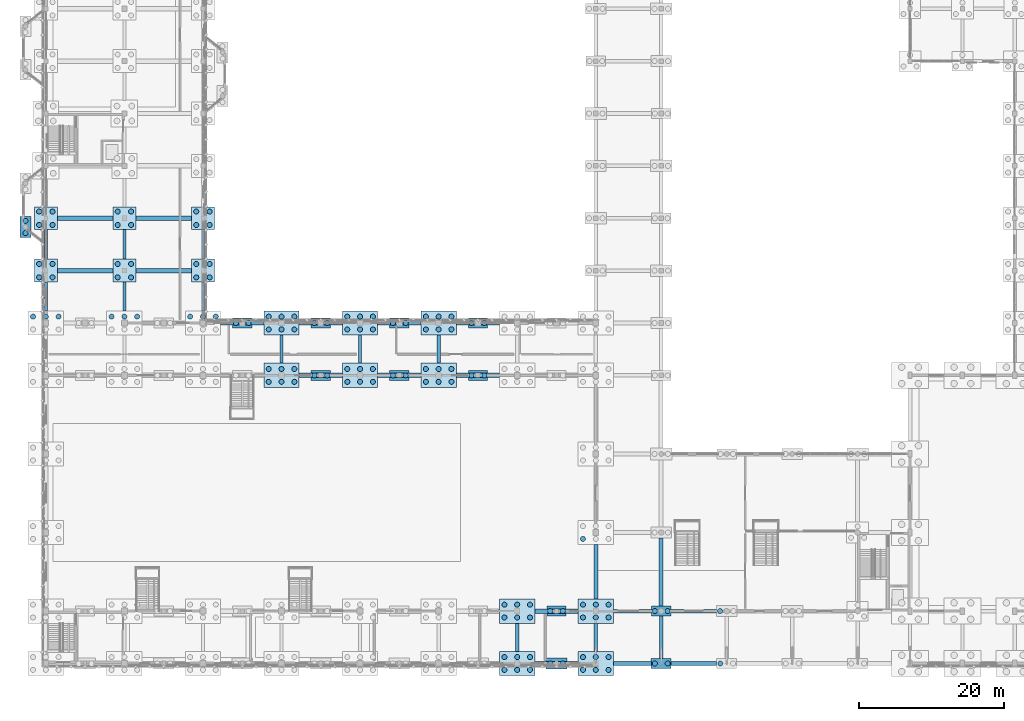
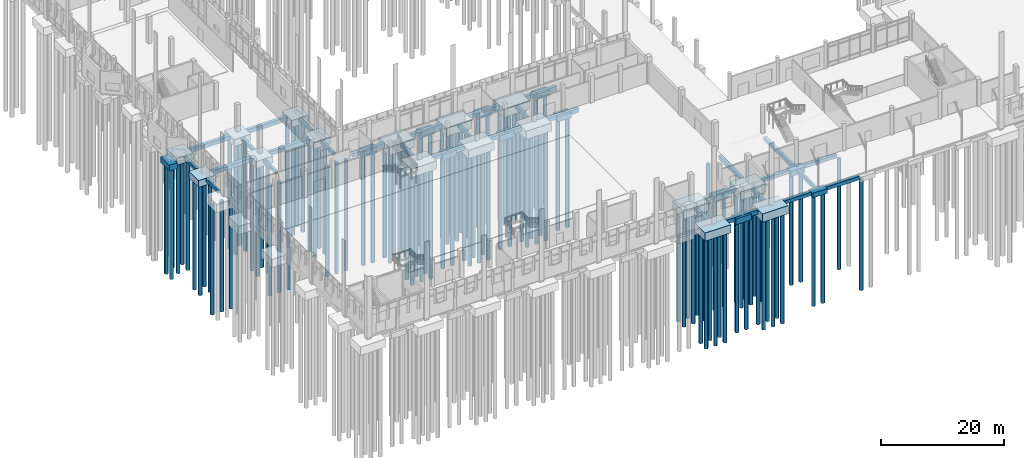
# One storey, part 2 of 109: 120 piles, 59 footings.
"""IFC4 building model written with IfcOpenShell, lengths in metres."""

from ifc_helpers import new_model, si_unit, direction, frame, origin, origin_2d, place, context, subcontext, project, spatial, rectangle, circle, extrude, material, material_profile, profile_set, type_object, element, save


model = new_model("IFC4")

# Units and contexts
model_context = context("Model", 3, precision=1e-05, world=origin(), true_north=direction((0.0, 1.0)))
body_context = subcontext(model_context, "Body", "Model", "MODEL_VIEW")
ifc_project = project(units=[si_unit("LENGTHUNIT", "METRE"), si_unit("AREAUNIT", "SQUARE_METRE"), si_unit("VOLUMEUNIT", "CUBIC_METRE"), si_unit("PLANEANGLEUNIT", "RADIAN"), si_unit("MASSUNIT", "GRAM", prefix="KILO")], contexts=[model_context])

# Site, building, storey
site_placement = place(None, origin())
site = spatial("IfcSite", under=ifc_project, at=site_placement, CompositionType="ELEMENT")
building_placement = place(site_placement, origin())
building = spatial("IfcBuilding", under=site, at=building_placement, Name="Lusvemor Sports Hall", CompositionType="ELEMENT")
storey_placement = place(building_placement, origin())
storey = spatial("IfcBuildingStorey", under=building, at=storey_placement, Name="L00", CompositionType="ELEMENT", Elevation=0.0)

# Footings
ifc_material_1 = material(Name="Concrete C40/50", Category="concrete")
ifc_material_profile_1 = material_profile(ifc_material_1, rectangle(XDim=0.449951171875, YDim=0.64990234375, at=origin_2d()), Name="GB_450x650")
ifc_profile_set_1 = profile_set([ifc_material_profile_1], Name="Concrete C40/50")
footing_type_1 = type_object("IfcFootingType", Name="GBEAM_450x650", PredefinedType="FOOTING_BEAM", material=ifc_profile_set_1)
footing_1_placement = place(storey_placement, frame((0.0, 48.472900390625, -0.625), z_axis=(0.0, 1.0, 0.0), x_axis=(-1.0, 0.0, 0.0)))
element("IfcFooting", 1, at=footing_1_placement, inside=storey, type_object=footing_type_1, Name="Ground Tie Beam 1:F-G", PredefinedType="FOOTING_BEAM", context=body_context, shape_type="SweptSolid", body=[
    extrude(rectangle(XDim=0.449951171875, YDim=0.64990234375, at=origin_2d()), origin(), (0.0, 0.0, 1.0), 3.9541015625),
])
footing_2_placement = place(storey_placement, frame((0.0, 55.572998046875, -0.625), z_axis=(0.0, 1.0, 0.0), x_axis=(-1.0, 0.0, 0.0)))
element("IfcFooting", 2, at=footing_2_placement, inside=storey, type_object=footing_type_1, Name="Ground Tie Beam 1:G-H", PredefinedType="FOOTING_BEAM", context=body_context, shape_type="SweptSolid", body=[
    extrude(rectangle(XDim=0.449951171875, YDim=0.64990234375, at=origin_2d()), origin(), (0.0, 0.0, 1.0), 4.053955078125),
])
footing_3_placement = place(storey_placement, frame((10.800048828125, 48.472900390625, -0.625), z_axis=(0.0, 1.0, 0.0), x_axis=(-1.0, 0.0, 0.0)))
element("IfcFooting", 3, at=footing_3_placement, inside=storey, type_object=footing_type_1, Name="Ground Tie Beam 2:F-G", PredefinedType="FOOTING_BEAM", context=body_context, shape_type="SweptSolid", body=[
    extrude(rectangle(XDim=0.449951171875, YDim=0.64990234375, at=origin_2d()), origin(), (0.0, 0.0, 1.0), 3.9541015625),
])
footing_4_placement = place(storey_placement, frame((10.800048828125, 55.572998046875, -0.625), z_axis=(0.0, 1.0, 0.0), x_axis=(-1.0, 0.0, 0.0)))
element("IfcFooting", 4, at=footing_4_placement, inside=storey, type_object=footing_type_1, Name="Ground Tie Beam 2:G-H", PredefinedType="FOOTING_BEAM", context=body_context, shape_type="SweptSolid", body=[
    extrude(rectangle(XDim=0.449951171875, YDim=0.64990234375, at=origin_2d()), origin(), (0.0, 0.0, 1.0), 4.053955078125),
])
footing_5_placement = place(storey_placement, frame((21.60009765625, 48.472900390625, -0.625), z_axis=(0.0, 1.0, 0.0), x_axis=(-1.0, 0.0, 0.0)))
element("IfcFooting", 5, at=footing_5_placement, inside=storey, type_object=footing_type_1, Name="Ground Tie Beam 3:F-G", PredefinedType="FOOTING_BEAM", context=body_context, shape_type="SweptSolid", body=[
    extrude(rectangle(XDim=0.449951171875, YDim=0.64990234375, at=origin_2d()), origin(), (0.0, 0.0, 1.0), 3.9541015625),
])
footing_6_placement = place(storey_placement, frame((21.60009765625, 55.572998046875, -0.625), z_axis=(0.0, 1.0, 0.0), x_axis=(-1.0, 0.0, 0.0)))
element("IfcFooting", 6, at=footing_6_placement, inside=storey, type_object=footing_type_1, Name="Ground Tie Beam 3:G-H", PredefinedType="FOOTING_BEAM", context=body_context, shape_type="SweptSolid", body=[
    extrude(rectangle(XDim=0.449951171875, YDim=0.64990234375, at=origin_2d()), origin(), (0.0, 0.0, 1.0), 4.053955078125),
])
for number, where, z_axis, x_axis, name in (
    (7, (32.39990234375, 41.27294921875, -0.625), (0.0, 1.0, 0.0), (-1.0, 0.0, 0.0), "Ground Tie Beam 4:E-F"),
    (8, (43.199951171875, 41.27294921875, -0.625), (0.0, 1.0, 0.0), (-1.0, 0.0, 0.0), "Ground Tie Beam 5:E-F"),
    (9, (54.0, 41.27294921875, -0.625), (0.0, 1.0, 0.0), (-1.0, 0.0, 0.0), "Ground Tie Beam 6:E-F"),
    (10, (64.800048828125, 1.673095703125, -0.625), (0.0, 1.0, 0.0), (-1.0, 0.0, 0.0), "Ground Tie Beam 7:A-B"),
    (11, (75.60009765625, 1.673095703125, -0.625), (0.0, 1.0, 0.0), (-1.0, 0.0, 0.0), "Ground Tie Beam 8:A-B"),
):
    element("IfcFooting", number, at=place(storey_placement, frame(where, z_axis=z_axis, x_axis=x_axis)), inside=storey, type_object=footing_type_1, Name=name, PredefinedType="FOOTING_BEAM", context=body_context, shape_type="SweptSolid", body=[
        extrude(rectangle(XDim=0.449951171875, YDim=0.64990234375, at=origin_2d()), origin(), (0.0, 0.0, 1.0), 3.85400390625),
    ])
footing_7_placement = place(storey_placement, frame((84.60009765625, 0.673095703125, -0.625), z_axis=(0.0, 1.0, 0.0), x_axis=(-1.0, 0.0, 0.0)))
element("IfcFooting", 12, at=footing_7_placement, inside=storey, type_object=footing_type_1, Name="Ground Tie Beam 9:A-B", PredefinedType="FOOTING_BEAM", context=body_context, shape_type="SweptSolid", body=[
    extrude(rectangle(XDim=0.449951171875, YDim=0.64990234375, at=origin_2d()), origin(), (0.0, 0.0, 1.0), 5.828857421875),
])
ifc_material_2 = material(Name="Concrete C40/50", Category="concrete")
ifc_material_profile_2 = material_profile(ifc_material_2, rectangle(XDim=0.5, YDim=0.699951171875, at=origin_2d()), Name="GB_500x700")
ifc_profile_set_2 = profile_set([ifc_material_profile_2], Name="Concrete C40/50")
footing_type_2 = type_object("IfcFootingType", Name="GBEAM_500x700", PredefinedType="FOOTING_BEAM", material=ifc_profile_set_2)
footing_8_placement = place(storey_placement, frame((78.02294921875, 0.0, -0.64990234375), z_axis=(1.0, 0.0, 0.0), x_axis=(0.0, 1.0, 0.0)))
element("IfcFooting", 13, at=footing_8_placement, inside=storey, type_object=footing_type_2, Name="Ground Tie Beam A:8-9", PredefinedType="FOOTING_BEAM", context=body_context, shape_type="SweptSolid", body=[
    extrude(rectangle(XDim=0.5, YDim=0.699951171875, at=origin_2d()), origin(), (0.0, 0.0, 1.0), 5.2041015625),
])
footing_9_placement = place(storey_placement, frame((85.972900390625, 0.0, -0.64990234375), z_axis=(1.0, 0.0, 0.0), x_axis=(0.0, 1.0, 0.0)))
element("IfcFooting", 14, at=footing_9_placement, inside=storey, type_object=footing_type_2, Name="Ground Tie Beam A:9-10", PredefinedType="FOOTING_BEAM", context=body_context, shape_type="SweptSolid", body=[
    extrude(rectangle(XDim=0.5, YDim=0.699951171875, at=origin_2d()), origin(), (0.0, 0.0, 1.0), 6.254150390625),
])
footing_10_placement = place(storey_placement, frame((78.02294921875, 7.199951171875, -0.64990234375), z_axis=(1.0, 0.0, 0.0), x_axis=(0.0, 1.0, 0.0)))
element("IfcFooting", 15, at=footing_10_placement, inside=storey, type_object=footing_type_2, Name="Ground Tie Beam B:8-9", PredefinedType="FOOTING_BEAM", context=body_context, shape_type="SweptSolid", body=[
    extrude(rectangle(XDim=0.5, YDim=0.699951171875, at=origin_2d()), origin(), (0.0, 0.0, 1.0), 5.254150390625),
])
footing_11_placement = place(storey_placement, frame((85.923095703125, 7.199951171875, -0.64990234375), z_axis=(1.0, 0.0, 0.0), x_axis=(0.0, 1.0, 0.0)))
element("IfcFooting", 16, at=footing_11_placement, inside=storey, type_object=footing_type_2, Name="Ground Tie Beam B:9-10", PredefinedType="FOOTING_BEAM", context=body_context, shape_type="SweptSolid", body=[
    extrude(rectangle(XDim=0.5, YDim=0.699951171875, at=origin_2d()), origin(), (0.0, 0.0, 1.0), 6.25390625),
])
ifc_material_3 = material(Name="Concrete C40/50", Category="concrete")
ifc_material_profile_3 = material_profile(ifc_material_3, rectangle(XDim=0.550048828125, YDim=0.75, at=origin_2d()), Name="GB_550x750")
ifc_profile_set_3 = profile_set([ifc_material_profile_3], Name="Concrete C40/50")
footing_type_3 = type_object("IfcFootingType", Name="GBEAM_550x750", PredefinedType="FOOTING_BEAM", material=ifc_profile_set_3)
footing_12_placement = place(storey_placement, frame((75.60009765625, 8.873046875, -0.675048828125), z_axis=(0.0, 1.0, 0.0), x_axis=(-1.0, 0.0, 0.0)))
element("IfcFooting", 17, at=footing_12_placement, inside=storey, type_object=footing_type_3, Name="Ground Tie Beam 8:B-C", PredefinedType="FOOTING_BEAM", context=body_context, shape_type="SweptSolid", body=[
    extrude(rectangle(XDim=0.550048828125, YDim=0.75, at=origin_2d()), origin(), (0.0, 0.0, 1.0), 7.453857421875),
])
footing_13_placement = place(storey_placement, frame((84.60009765625, 7.89794921875, -0.675048828125), z_axis=(0.0, 1.0, 0.0), x_axis=(-1.0, 0.0, 0.0)))
element("IfcFooting", 18, at=footing_13_placement, inside=storey, type_object=footing_type_3, Name="Ground Tie Beam 9:B-C", PredefinedType="FOOTING_BEAM", context=body_context, shape_type="SweptSolid", body=[
    extrude(rectangle(XDim=0.550048828125, YDim=0.75, at=origin_2d()), origin(), (0.0, 0.0, 1.0), 9.35400390625),
])
ifc_material_4 = material(Name="Concrete C40/50", Category="concrete")
ifc_material_profile_4 = material_profile(ifc_material_4, rectangle(XDim=0.60009765625, YDim=0.800048828125, at=origin_2d()), Name="GB_600x800")
ifc_profile_set_4 = profile_set([ifc_material_profile_4], Name="Concrete C40/50")
footing_type_4 = type_object("IfcFootingType", Name="GBEAM_600x800", PredefinedType="FOOTING_BEAM", material=ifc_profile_set_4)
for number, where, z_axis, x_axis, name in (
    (19, (67.222900390625, 0.0, -0.699951171875), (1.0, 0.0, 0.0), (0.0, 1.0, 0.0), "Ground Tie Beam A:7-8"),
    (20, (67.222900390625, 7.199951171875, -0.699951171875), (1.0, 0.0, 0.0), (0.0, 1.0, 0.0), "Ground Tie Beam B:7-8"),
    (21, (34.822998046875, 39.60009765625, -0.699951171875), (1.0, 0.0, 0.0), (0.0, 1.0, 0.0), "Ground Tie Beam E:4-5"),
):
    element("IfcFooting", number, at=place(storey_placement, frame(where, z_axis=z_axis, x_axis=x_axis)), inside=storey, type_object=footing_type_4, Name=name, PredefinedType="FOOTING_BEAM", context=body_context, shape_type="SweptSolid", body=[
        extrude(rectangle(XDim=0.60009765625, YDim=0.800048828125, at=origin_2d()), origin(), (0.0, 0.0, 1.0), 5.9541015625),
    ])
for number, where, z_axis, x_axis, name in (
    (22, (45.623046875, 39.60009765625, -0.699951171875), (1.0, 0.0, 0.0), (0.0, 1.0, 0.0), "Ground Tie Beam E:5-6"),
    (23, (56.423095703125, 39.60009765625, -0.699951171875), (1.0, 0.0, 0.0), (0.0, 1.0, 0.0), "Ground Tie Beam E:6-7"),
):
    element("IfcFooting", number, at=place(storey_placement, frame(where, z_axis=z_axis, x_axis=x_axis)), inside=storey, type_object=footing_type_4, Name=name, PredefinedType="FOOTING_BEAM", context=body_context, shape_type="SweptSolid", body=[
        extrude(rectangle(XDim=0.60009765625, YDim=0.800048828125, at=origin_2d()), origin(), (0.0, 0.0, 1.0), 5.953857421875),
    ])
for number, where, z_axis, x_axis, name in (
    (24, (24.02294921875, 46.800048828125, -0.699951171875), (1.0, 0.0, 0.0), (0.0, 1.0, 0.0), "Ground Tie Beam F:3-4"),
    (25, (34.822998046875, 46.800048828125, -0.699951171875), (1.0, 0.0, 0.0), (0.0, 1.0, 0.0), "Ground Tie Beam F:4-5"),
):
    element("IfcFooting", number, at=place(storey_placement, frame(where, z_axis=z_axis, x_axis=x_axis)), inside=storey, type_object=footing_type_4, Name=name, PredefinedType="FOOTING_BEAM", context=body_context, shape_type="SweptSolid", body=[
        extrude(rectangle(XDim=0.60009765625, YDim=0.800048828125, at=origin_2d()), origin(), (0.0, 0.0, 1.0), 5.9541015625),
    ])
for number, where, z_axis, x_axis, name in (
    (26, (45.623046875, 46.800048828125, -0.699951171875), (1.0, 0.0, 0.0), (0.0, 1.0, 0.0), "Ground Tie Beam F:5-6"),
    (27, (56.423095703125, 46.800048828125, -0.699951171875), (1.0, 0.0, 0.0), (0.0, 1.0, 0.0), "Ground Tie Beam F:6-7"),
):
    element("IfcFooting", number, at=place(storey_placement, frame(where, z_axis=z_axis, x_axis=x_axis)), inside=storey, type_object=footing_type_4, Name=name, PredefinedType="FOOTING_BEAM", context=body_context, shape_type="SweptSolid", body=[
        extrude(rectangle(XDim=0.60009765625, YDim=0.800048828125, at=origin_2d()), origin(), (0.0, 0.0, 1.0), 5.953857421875),
    ])
for number, where, z_axis, x_axis, name in (
    (28, (1.572998046875, 54.0, -0.699951171875), (1.0, 0.0, 0.0), (0.0, 1.0, 0.0), "Ground Tie Beam G:1-2"),
    (29, (12.373046875, 54.0, -0.699951171875), (1.0, 0.0, 0.0), (0.0, 1.0, 0.0), "Ground Tie Beam G:2-3"),
    (30, (1.572998046875, 61.199951171875, -0.699951171875), (1.0, 0.0, 0.0), (0.0, 1.0, 0.0), "Ground Tie Beam H:1-2"),
    (31, (12.373046875, 61.199951171875, -0.699951171875), (1.0, 0.0, 0.0), (0.0, 1.0, 0.0), "Ground Tie Beam H:2-3"),
):
    element("IfcFooting", number, at=place(storey_placement, frame(where, z_axis=z_axis, x_axis=x_axis)), inside=storey, type_object=footing_type_4, Name=name, PredefinedType="FOOTING_BEAM", context=body_context, shape_type="SweptSolid", body=[
        extrude(rectangle(XDim=0.60009765625, YDim=0.800048828125, at=origin_2d()), origin(), (0.0, 0.0, 1.0), 7.654052734375),
    ])
ifc_material_5 = material(Name="Concrete C40/50", Category="concrete")
footing_type_5 = type_object("IfcFootingType", Name="PCAP_2P_A", PredefinedType="PILE_CAP", material=ifc_material_5)
for number, where, z_axis, x_axis, name in (
    (32, (84.60009765625, 7.199951171875, -1.400146484375), (0.0, 0.0, 1.0), (1.0, 0.0, 0.0), "Pile Cap 9/B"),
    (33, (27.0, 46.800048828125, -1.400146484375), (0.0, 0.0, 1.0), (1.0, 0.0, 0.0), "Wave Courtyard Cap N3"),
    (34, (37.800048828125, 46.800048828125, -1.400146484375), (0.0, 0.0, 1.0), (1.0, 0.0, 0.0), "Wave Courtyard Cap N4"),
    (35, (37.800048828125, 39.60009765625, -1.400146484375), (0.0, 0.0, 1.0), (1.0, 0.0, 0.0), "Wave Mid-Bay Cap N4"),
    (36, (48.60009765625, 46.800048828125, -1.400146484375), (0.0, 0.0, 1.0), (1.0, 0.0, 0.0), "Wave Courtyard Cap N5"),
    (37, (48.60009765625, 39.60009765625, -1.400146484375), (0.0, 0.0, 1.0), (1.0, 0.0, 0.0), "Wave Mid-Bay Cap N5"),
    (38, (59.39990234375, 46.800048828125, -1.400146484375), (0.0, 0.0, 1.0), (1.0, 0.0, 0.0), "Wave Courtyard Cap N6"),
    (39, (59.39990234375, 39.60009765625, -1.400146484375), (0.0, 0.0, 1.0), (1.0, 0.0, 0.0), "Wave Mid-Bay Cap N6"),
    (40, (70.199951171875, 7.199951171875, -1.400146484375), (0.0, 0.0, 1.0), (1.0, 0.0, 0.0), "Wave Mid-Bay Cap S7"),
):
    element("IfcFooting", number, at=place(storey_placement, frame(where, z_axis=z_axis, x_axis=x_axis)), inside=storey, type_object=footing_type_5, Name=name, PredefinedType="PILE_CAP", context=body_context, shape_type="SweptSolid", body=[
        extrude(rectangle(XDim=2.64990234375, YDim=1.39990234375, at=origin_2d()), origin(), (0.0, 0.0, 1.0), 1.10009765625),
    ])
ifc_material_6 = material(Name="Concrete C40/50", Category="concrete")
footing_type_6 = type_object("IfcFootingType", Name="PCAP_2P_B", PredefinedType="PILE_CAP", material=ifc_material_6)
footing_14_placement = place(storey_placement, frame((70.199951171875, 0.0, -1.449951171875), z_axis=(0.0, 0.0, 1.0), x_axis=(1.0, 0.0, 0.0)))
element("IfcFooting", 41, at=footing_14_placement, inside=storey, type_object=footing_type_6, Name="Pilaster Cap S6", PredefinedType="PILE_CAP", context=body_context, shape_type="SweptSolid", body=[
    extrude(rectangle(XDim=2.85009765625, YDim=1.5, at=origin_2d()), origin(), (0.0, 0.0, 1.0), 1.14990234375),
])
ifc_material_7 = material(Name="Concrete C40/50", Category="concrete")
footing_type_7 = type_object("IfcFootingType", Name="PCAP_2P_CAN", PredefinedType="PILE_CAP", material=ifc_material_7)
footing_15_placement = place(storey_placement, frame((84.60009765625, 0.0, -1.25), z_axis=(0.0, 0.0, 1.0), x_axis=(1.0, 0.0, 0.0)))
element("IfcFooting", 42, at=footing_15_placement, inside=storey, type_object=footing_type_7, Name="Pile Cap 9/A", PredefinedType="PILE_CAP", context=body_context, shape_type="SweptSolid", body=[
    extrude(rectangle(XDim=2.75, YDim=1.35009765625, at=origin_2d()), origin(), (0.0, 0.0, 1.0), 0.949951171875),
])
ifc_material_8 = material(Name="Concrete C40/50", Category="concrete")
footing_type_8 = type_object("IfcFootingType", Name="PCAP_2P_NS", PredefinedType="PILE_CAP", material=ifc_material_8)
footing_16_placement = place(storey_placement, frame((-2.800048828125, 60.0, -1.449951171875), z_axis=(0.0, 0.0, 1.0), x_axis=(1.0, 0.0, 0.0)))
element("IfcFooting", 43, at=footing_16_placement, inside=storey, type_object=footing_type_8, Name="Bow Pavilion Cap BOW-W1-1", PredefinedType="PILE_CAP", context=body_context, shape_type="SweptSolid", body=[
    extrude(rectangle(XDim=1.5, YDim=2.85009765625, at=origin_2d()), origin(), (0.0, 0.0, 1.0), 1.14990234375),
])
ifc_material_9 = material(Name="Concrete C40/50", Category="concrete")
footing_type_9 = type_object("IfcFootingType", Name="PCAP_4P_A", PredefinedType="PILE_CAP", material=ifc_material_9)
for number, where, z_axis, x_axis, name in (
    (44, (0.0, 54.0, -1.650146484375), (0.0, 0.0, 1.0), (1.0, 0.0, 0.0), "Pile Cap 1/G"),
    (45, (0.0, 61.199951171875, -1.650146484375), (0.0, 0.0, 1.0), (1.0, 0.0, 0.0), "Pile Cap 1/H"),
    (46, (10.800048828125, 54.0, -1.650146484375), (0.0, 0.0, 1.0), (1.0, 0.0, 0.0), "Pile Cap 2/G"),
    (47, (10.800048828125, 61.199951171875, -1.650146484375), (0.0, 0.0, 1.0), (1.0, 0.0, 0.0), "Pile Cap 2/H"),
    (48, (21.60009765625, 54.0, -1.650146484375), (0.0, 0.0, 1.0), (1.0, 0.0, 0.0), "Pile Cap 3/G"),
    (49, (21.60009765625, 61.199951171875, -1.650146484375), (0.0, 0.0, 1.0), (1.0, 0.0, 0.0), "Pile Cap 3/H"),
):
    element("IfcFooting", number, at=place(storey_placement, frame(where, z_axis=z_axis, x_axis=x_axis)), inside=storey, type_object=footing_type_9, Name=name, PredefinedType="PILE_CAP", context=body_context, shape_type="SweptSolid", body=[
        extrude(rectangle(XDim=3.14990234375, YDim=3.14990234375, at=origin_2d()), origin(), (0.0, 0.0, 1.0), 1.35009765625),
    ])
ifc_material_10 = material(Name="Concrete C40/50", Category="concrete")
footing_type_10 = type_object("IfcFootingType", Name="PCAP_6P_HALL", PredefinedType="PILE_CAP", material=ifc_material_10)
for number, where, z_axis, x_axis, name in (
    (50, (32.39990234375, 39.60009765625, -1.949951171875), (0.0, 0.0, 1.0), (1.0, 0.0, 0.0), "Pile Cap 4/E"),
    (51, (32.39990234375, 46.800048828125, -1.949951171875), (0.0, 0.0, 1.0), (1.0, 0.0, 0.0), "Pile Cap 4/F"),
    (52, (43.199951171875, 39.60009765625, -1.949951171875), (0.0, 0.0, 1.0), (1.0, 0.0, 0.0), "Pile Cap 5/E"),
    (53, (43.199951171875, 46.800048828125, -1.949951171875), (0.0, 0.0, 1.0), (1.0, 0.0, 0.0), "Pile Cap 5/F"),
    (54, (54.0, 39.60009765625, -1.949951171875), (0.0, 0.0, 1.0), (1.0, 0.0, 0.0), "Pile Cap 6/E"),
    (55, (54.0, 46.800048828125, -1.949951171875), (0.0, 0.0, 1.0), (1.0, 0.0, 0.0), "Pile Cap 6/F"),
    (56, (64.800048828125, 0.0, -1.949951171875), (0.0, 0.0, 1.0), (1.0, 0.0, 0.0), "Pile Cap 7/A"),
    (57, (64.800048828125, 7.199951171875, -1.949951171875), (0.0, 0.0, 1.0), (1.0, 0.0, 0.0), "Pile Cap 7/B"),
    (58, (75.60009765625, 0.0, -1.949951171875), (0.0, 0.0, 1.0), (1.0, 0.0, 0.0), "Pile Cap 8/A"),
    (59, (75.60009765625, 7.199951171875, -1.949951171875), (0.0, 0.0, 1.0), (1.0, 0.0, 0.0), "Pile Cap 8/B"),
):
    element("IfcFooting", number, at=place(storey_placement, frame(where, z_axis=z_axis, x_axis=x_axis)), inside=storey, type_object=footing_type_10, Name=name, PredefinedType="PILE_CAP", context=body_context, shape_type="SweptSolid", body=[
        extrude(rectangle(XDim=4.85009765625, YDim=3.35009765625, at=origin_2d()), origin(), (0.0, 0.0, 1.0), 1.64990234375),
    ])

# Piles
ifc_material_11 = material(Name="Concrete C40/50", Category="concrete")
ifc_material_profile_5 = material_profile(ifc_material_11, circle(Radius=0.35009765625, at=origin_2d()), Name="PILE700")
ifc_profile_set_5 = profile_set([ifc_material_profile_5], Name="Concrete C40/50")
pile_type = type_object("IfcPileType", Name="PILE_BORED_700", PredefinedType="BORED", material=ifc_profile_set_5)
for number, where, z_axis, x_axis, name in (
    (60, (-1.760009765625, 47.679931640625, -1.85009765625), (0.0, 0.0, -1.0), (1.0, 0.0, 0.0), "Bored Pile 1/F-4"),
    (61, (0.0, 47.679931640625, -1.85009765625), (0.0, 0.0, -1.0), (1.0, 0.0, 0.0), "Bored Pile 1/F-5"),
    (62, (1.760009765625, 47.679931640625, -1.85009765625), (0.0, 0.0, -1.0), (1.0, 0.0, 0.0), "Bored Pile 1/F-6"),
    (63, (-0.919921875, 53.080078125, -1.550048828125), (0.0, 0.0, -1.0), (1.0, 0.0, 0.0), "Bored Pile 1/G-1"),
    (64, (0.919921875, 53.080078125, -1.550048828125), (0.0, 0.0, -1.0), (1.0, 0.0, 0.0), "Bored Pile 1/G-2"),
    (65, (-0.919921875, 54.919921875, -1.550048828125), (0.0, 0.0, -1.0), (1.0, 0.0, 0.0), "Bored Pile 1/G-3"),
    (66, (0.919921875, 54.919921875, -1.550048828125), (0.0, 0.0, -1.0), (1.0, 0.0, 0.0), "Bored Pile 1/G-4"),
    (67, (-0.919921875, 60.280029296875, -1.550048828125), (0.0, 0.0, -1.0), (1.0, 0.0, 0.0), "Bored Pile 1/H-1"),
    (68, (0.919921875, 60.280029296875, -1.550048828125), (0.0, 0.0, -1.0), (1.0, 0.0, 0.0), "Bored Pile 1/H-2"),
    (69, (-0.919921875, 62.1201171875, -1.550048828125), (0.0, 0.0, -1.0), (1.0, 0.0, 0.0), "Bored Pile 1/H-3"),
    (70, (0.919921875, 62.1201171875, -1.550048828125), (0.0, 0.0, -1.0), (1.0, 0.0, 0.0), "Bored Pile 1/H-4"),
    (71, (9.0400390625, 47.679931640625, -1.85009765625), (0.0, 0.0, -1.0), (1.0, 0.0, 0.0), "Bored Pile 2/F-4"),
    (72, (10.800048828125, 47.679931640625, -1.85009765625), (0.0, 0.0, -1.0), (1.0, 0.0, 0.0), "Bored Pile 2/F-5"),
    (73, (12.56005859375, 47.679931640625, -1.85009765625), (0.0, 0.0, -1.0), (1.0, 0.0, 0.0), "Bored Pile 2/F-6"),
    (74, (9.8798828125, 53.080078125, -1.550048828125), (0.0, 0.0, -1.0), (1.0, 0.0, 0.0), "Bored Pile 2/G-1"),
    (75, (11.719970703125, 53.080078125, -1.550048828125), (0.0, 0.0, -1.0), (1.0, 0.0, 0.0), "Bored Pile 2/G-2"),
    (76, (9.8798828125, 54.919921875, -1.550048828125), (0.0, 0.0, -1.0), (1.0, 0.0, 0.0), "Bored Pile 2/G-3"),
    (77, (11.719970703125, 54.919921875, -1.550048828125), (0.0, 0.0, -1.0), (1.0, 0.0, 0.0), "Bored Pile 2/G-4"),
    (78, (9.8798828125, 60.280029296875, -1.550048828125), (0.0, 0.0, -1.0), (1.0, 0.0, 0.0), "Bored Pile 2/H-1"),
    (79, (11.719970703125, 60.280029296875, -1.550048828125), (0.0, 0.0, -1.0), (1.0, 0.0, 0.0), "Bored Pile 2/H-2"),
    (80, (9.8798828125, 62.1201171875, -1.550048828125), (0.0, 0.0, -1.0), (1.0, 0.0, 0.0), "Bored Pile 2/H-3"),
    (81, (11.719970703125, 62.1201171875, -1.550048828125), (0.0, 0.0, -1.0), (1.0, 0.0, 0.0), "Bored Pile 2/H-4"),
    (82, (19.840087890625, 47.679931640625, -1.85009765625), (0.0, 0.0, -1.0), (1.0, 0.0, 0.0), "Bored Pile 3/F-4"),
    (83, (21.60009765625, 47.679931640625, -1.85009765625), (0.0, 0.0, -1.0), (1.0, 0.0, 0.0), "Bored Pile 3/F-5"),
    (84, (23.360107421875, 47.679931640625, -1.85009765625), (0.0, 0.0, -1.0), (1.0, 0.0, 0.0), "Bored Pile 3/F-6"),
    (85, (20.679931640625, 53.080078125, -1.550048828125), (0.0, 0.0, -1.0), (1.0, 0.0, 0.0), "Bored Pile 3/G-1"),
    (86, (22.52001953125, 53.080078125, -1.550048828125), (0.0, 0.0, -1.0), (1.0, 0.0, 0.0), "Bored Pile 3/G-2"),
    (87, (20.679931640625, 54.919921875, -1.550048828125), (0.0, 0.0, -1.0), (1.0, 0.0, 0.0), "Bored Pile 3/G-3"),
    (88, (22.52001953125, 54.919921875, -1.550048828125), (0.0, 0.0, -1.0), (1.0, 0.0, 0.0), "Bored Pile 3/G-4"),
    (89, (20.679931640625, 60.280029296875, -1.550048828125), (0.0, 0.0, -1.0), (1.0, 0.0, 0.0), "Bored Pile 3/H-1"),
    (90, (22.52001953125, 60.280029296875, -1.550048828125), (0.0, 0.0, -1.0), (1.0, 0.0, 0.0), "Bored Pile 3/H-2"),
    (91, (20.679931640625, 62.1201171875, -1.550048828125), (0.0, 0.0, -1.0), (1.0, 0.0, 0.0), "Bored Pile 3/H-3"),
    (92, (22.52001953125, 62.1201171875, -1.550048828125), (0.0, 0.0, -1.0), (1.0, 0.0, 0.0), "Bored Pile 3/H-4"),
    (93, (30.639892578125, 38.719970703125, -1.85009765625), (0.0, 0.0, -1.0), (1.0, 0.0, 0.0), "Bored Pile 4/E-1"),
    (94, (32.39990234375, 38.719970703125, -1.85009765625), (0.0, 0.0, -1.0), (1.0, 0.0, 0.0), "Bored Pile 4/E-2"),
    (95, (34.159912109375, 38.719970703125, -1.85009765625), (0.0, 0.0, -1.0), (1.0, 0.0, 0.0), "Bored Pile 4/E-3"),
    (96, (30.639892578125, 40.47998046875, -1.85009765625), (0.0, 0.0, -1.0), (1.0, 0.0, 0.0), "Bored Pile 4/E-4"),
    (97, (32.39990234375, 40.47998046875, -1.85009765625), (0.0, 0.0, -1.0), (1.0, 0.0, 0.0), "Bored Pile 4/E-5"),
    (98, (34.159912109375, 40.47998046875, -1.85009765625), (0.0, 0.0, -1.0), (1.0, 0.0, 0.0), "Bored Pile 4/E-6"),
    (99, (30.639892578125, 45.919921875, -1.85009765625), (0.0, 0.0, -1.0), (1.0, 0.0, 0.0), "Bored Pile 4/F-1"),
    (100, (32.39990234375, 45.919921875, -1.85009765625), (0.0, 0.0, -1.0), (1.0, 0.0, 0.0), "Bored Pile 4/F-2"),
    (101, (34.159912109375, 45.919921875, -1.85009765625), (0.0, 0.0, -1.0), (1.0, 0.0, 0.0), "Bored Pile 4/F-3"),
    (102, (30.639892578125, 47.679931640625, -1.85009765625), (0.0, 0.0, -1.0), (1.0, 0.0, 0.0), "Bored Pile 4/F-4"),
    (103, (32.39990234375, 47.679931640625, -1.85009765625), (0.0, 0.0, -1.0), (1.0, 0.0, 0.0), "Bored Pile 4/F-5"),
    (104, (34.159912109375, 47.679931640625, -1.85009765625), (0.0, 0.0, -1.0), (1.0, 0.0, 0.0), "Bored Pile 4/F-6"),
    (105, (41.43994140625, 38.719970703125, -1.85009765625), (0.0, 0.0, -1.0), (1.0, 0.0, 0.0), "Bored Pile 5/E-1"),
    (106, (43.199951171875, 38.719970703125, -1.85009765625), (0.0, 0.0, -1.0), (1.0, 0.0, 0.0), "Bored Pile 5/E-2"),
    (107, (44.9599609375, 38.719970703125, -1.85009765625), (0.0, 0.0, -1.0), (1.0, 0.0, 0.0), "Bored Pile 5/E-3"),
    (108, (41.43994140625, 40.47998046875, -1.85009765625), (0.0, 0.0, -1.0), (1.0, 0.0, 0.0), "Bored Pile 5/E-4"),
    (109, (43.199951171875, 40.47998046875, -1.85009765625), (0.0, 0.0, -1.0), (1.0, 0.0, 0.0), "Bored Pile 5/E-5"),
    (110, (44.9599609375, 40.47998046875, -1.85009765625), (0.0, 0.0, -1.0), (1.0, 0.0, 0.0), "Bored Pile 5/E-6"),
    (111, (41.43994140625, 45.919921875, -1.85009765625), (0.0, 0.0, -1.0), (1.0, 0.0, 0.0), "Bored Pile 5/F-1"),
    (112, (43.199951171875, 45.919921875, -1.85009765625), (0.0, 0.0, -1.0), (1.0, 0.0, 0.0), "Bored Pile 5/F-2"),
    (113, (44.9599609375, 45.919921875, -1.85009765625), (0.0, 0.0, -1.0), (1.0, 0.0, 0.0), "Bored Pile 5/F-3"),
    (114, (41.43994140625, 47.679931640625, -1.85009765625), (0.0, 0.0, -1.0), (1.0, 0.0, 0.0), "Bored Pile 5/F-4"),
    (115, (43.199951171875, 47.679931640625, -1.85009765625), (0.0, 0.0, -1.0), (1.0, 0.0, 0.0), "Bored Pile 5/F-5"),
    (116, (44.9599609375, 47.679931640625, -1.85009765625), (0.0, 0.0, -1.0), (1.0, 0.0, 0.0), "Bored Pile 5/F-6"),
    (117, (52.239990234375, 38.719970703125, -1.85009765625), (0.0, 0.0, -1.0), (1.0, 0.0, 0.0), "Bored Pile 6/E-1"),
    (118, (54.0, 38.719970703125, -1.85009765625), (0.0, 0.0, -1.0), (1.0, 0.0, 0.0), "Bored Pile 6/E-2"),
    (119, (55.760009765625, 38.719970703125, -1.85009765625), (0.0, 0.0, -1.0), (1.0, 0.0, 0.0), "Bored Pile 6/E-3"),
    (120, (52.239990234375, 40.47998046875, -1.85009765625), (0.0, 0.0, -1.0), (1.0, 0.0, 0.0), "Bored Pile 6/E-4"),
    (121, (54.0, 40.47998046875, -1.85009765625), (0.0, 0.0, -1.0), (1.0, 0.0, 0.0), "Bored Pile 6/E-5"),
    (122, (55.760009765625, 40.47998046875, -1.85009765625), (0.0, 0.0, -1.0), (1.0, 0.0, 0.0), "Bored Pile 6/E-6"),
    (123, (52.239990234375, 45.919921875, -1.85009765625), (0.0, 0.0, -1.0), (1.0, 0.0, 0.0), "Bored Pile 6/F-1"),
    (124, (54.0, 45.919921875, -1.85009765625), (0.0, 0.0, -1.0), (1.0, 0.0, 0.0), "Bored Pile 6/F-2"),
    (125, (55.760009765625, 45.919921875, -1.85009765625), (0.0, 0.0, -1.0), (1.0, 0.0, 0.0), "Bored Pile 6/F-3"),
    (126, (52.239990234375, 47.679931640625, -1.85009765625), (0.0, 0.0, -1.0), (1.0, 0.0, 0.0), "Bored Pile 6/F-4"),
    (127, (54.0, 47.679931640625, -1.85009765625), (0.0, 0.0, -1.0), (1.0, 0.0, 0.0), "Bored Pile 6/F-5"),
    (128, (55.760009765625, 47.679931640625, -1.85009765625), (0.0, 0.0, -1.0), (1.0, 0.0, 0.0), "Bored Pile 6/F-6"),
    (129, (63.0400390625, -0.8798828125, -1.85009765625), (0.0, 0.0, -1.0), (1.0, 0.0, 0.0), "Bored Pile 7/A-1"),
    (130, (64.800048828125, -0.8798828125, -1.85009765625), (0.0, 0.0, -1.0), (1.0, 0.0, 0.0), "Bored Pile 7/A-2"),
    (131, (66.56005859375, -0.8798828125, -1.85009765625), (0.0, 0.0, -1.0), (1.0, 0.0, 0.0), "Bored Pile 7/A-3"),
    (132, (63.0400390625, 0.8798828125, -1.85009765625), (0.0, 0.0, -1.0), (1.0, 0.0, 0.0), "Bored Pile 7/A-4"),
    (133, (64.800048828125, 0.8798828125, -1.85009765625), (0.0, 0.0, -1.0), (1.0, 0.0, 0.0), "Bored Pile 7/A-5"),
    (134, (66.56005859375, 0.8798828125, -1.85009765625), (0.0, 0.0, -1.0), (1.0, 0.0, 0.0), "Bored Pile 7/A-6"),
    (135, (63.0400390625, 6.320068359375, -1.85009765625), (0.0, 0.0, -1.0), (1.0, 0.0, 0.0), "Bored Pile 7/B-1"),
    (136, (64.800048828125, 6.320068359375, -1.85009765625), (0.0, 0.0, -1.0), (1.0, 0.0, 0.0), "Bored Pile 7/B-2"),
    (137, (66.56005859375, 6.320068359375, -1.85009765625), (0.0, 0.0, -1.0), (1.0, 0.0, 0.0), "Bored Pile 7/B-3"),
    (138, (63.0400390625, 8.080078125, -1.85009765625), (0.0, 0.0, -1.0), (1.0, 0.0, 0.0), "Bored Pile 7/B-4"),
    (139, (64.800048828125, 8.080078125, -1.85009765625), (0.0, 0.0, -1.0), (1.0, 0.0, 0.0), "Bored Pile 7/B-5"),
    (140, (66.56005859375, 8.080078125, -1.85009765625), (0.0, 0.0, -1.0), (1.0, 0.0, 0.0), "Bored Pile 7/B-6"),
    (141, (73.840087890625, -0.8798828125, -1.85009765625), (0.0, 0.0, -1.0), (1.0, 0.0, 0.0), "Bored Pile 8/A-1"),
    (142, (75.60009765625, -0.8798828125, -1.85009765625), (0.0, 0.0, -1.0), (1.0, 0.0, 0.0), "Bored Pile 8/A-2"),
    (143, (77.360107421875, -0.8798828125, -1.85009765625), (0.0, 0.0, -1.0), (1.0, 0.0, 0.0), "Bored Pile 8/A-3"),
    (144, (73.840087890625, 0.8798828125, -1.85009765625), (0.0, 0.0, -1.0), (1.0, 0.0, 0.0), "Bored Pile 8/A-4"),
    (145, (75.60009765625, 0.8798828125, -1.85009765625), (0.0, 0.0, -1.0), (1.0, 0.0, 0.0), "Bored Pile 8/A-5"),
    (146, (77.360107421875, 0.8798828125, -1.85009765625), (0.0, 0.0, -1.0), (1.0, 0.0, 0.0), "Bored Pile 8/A-6"),
    (147, (73.840087890625, 6.320068359375, -1.85009765625), (0.0, 0.0, -1.0), (1.0, 0.0, 0.0), "Bored Pile 8/B-1"),
    (148, (75.60009765625, 6.320068359375, -1.85009765625), (0.0, 0.0, -1.0), (1.0, 0.0, 0.0), "Bored Pile 8/B-2"),
    (149, (77.360107421875, 6.320068359375, -1.85009765625), (0.0, 0.0, -1.0), (1.0, 0.0, 0.0), "Bored Pile 8/B-3"),
    (150, (73.840087890625, 8.080078125, -1.85009765625), (0.0, 0.0, -1.0), (1.0, 0.0, 0.0), "Bored Pile 8/B-4"),
    (151, (75.60009765625, 8.080078125, -1.85009765625), (0.0, 0.0, -1.0), (1.0, 0.0, 0.0), "Bored Pile 8/B-5"),
    (152, (77.360107421875, 8.080078125, -1.85009765625), (0.0, 0.0, -1.0), (1.0, 0.0, 0.0), "Bored Pile 8/B-6"),
    (153, (73.840087890625, 17.1201171875, -1.85009765625), (0.0, 0.0, -1.0), (1.0, 0.0, 0.0), "Bored Pile 8/C-1"),
    (154, (83.719970703125, 0.0, -1.14990234375), (0.0, 0.0, -1.0), (1.0, 0.0, 0.0), "Bored Pile 9/A-1"),
    (155, (85.47998046875, 0.0, -1.14990234375), (0.0, 0.0, -1.0), (1.0, 0.0, 0.0), "Bored Pile 9/A-2"),
    (156, (83.719970703125, 7.199951171875, -1.300048828125), (0.0, 0.0, -1.0), (1.0, 0.0, 0.0), "Bored Pile 9/B-1"),
    (157, (85.47998046875, 7.199951171875, -1.300048828125), (0.0, 0.0, -1.0), (1.0, 0.0, 0.0), "Bored Pile 9/B-2"),
    (158, (92.719970703125, 0.0, -1.14990234375), (0.0, 0.0, -1.0), (1.0, 0.0, 0.0), "Bored Pile 10/A-1"),
    (159, (92.679931640625, 7.199951171875, -1.35009765625), (0.0, 0.0, -1.0), (1.0, 0.0, 0.0), "Bored Pile 10/B-1"),
    (160, (69.320068359375, 0.0, -1.35009765625), (0.0, 0.0, -1.0), (1.0, 0.0, 0.0), "Pilaster Bored Pile S6-1"),
    (161, (71.080078125, 0.0, -1.35009765625), (0.0, 0.0, -1.0), (1.0, 0.0, 0.0), "Pilaster Bored Pile S6-2"),
    (162, (26.1201171875, 46.800048828125, -1.300048828125), (0.0, 0.0, -1.0), (1.0, 0.0, 0.0), "Wave Courtyard Pile N3-1"),
    (163, (27.8798828125, 46.800048828125, -1.300048828125), (0.0, 0.0, -1.0), (1.0, 0.0, 0.0), "Wave Courtyard Pile N3-2"),
    (164, (36.919921875, 46.800048828125, -1.300048828125), (0.0, 0.0, -1.0), (1.0, 0.0, 0.0), "Wave Courtyard Pile N4-1"),
    (165, (38.679931640625, 46.800048828125, -1.300048828125), (0.0, 0.0, -1.0), (1.0, 0.0, 0.0), "Wave Courtyard Pile N4-2"),
    (166, (36.919921875, 39.60009765625, -1.300048828125), (0.0, 0.0, -1.0), (1.0, 0.0, 0.0), "Wave Mid-Bay Pile N4-1"),
    (167, (38.679931640625, 39.60009765625, -1.300048828125), (0.0, 0.0, -1.0), (1.0, 0.0, 0.0), "Wave Mid-Bay Pile N4-2"),
    (168, (47.719970703125, 46.800048828125, -1.300048828125), (0.0, 0.0, -1.0), (1.0, 0.0, 0.0), "Wave Courtyard Pile N5-1"),
    (169, (49.47998046875, 46.800048828125, -1.300048828125), (0.0, 0.0, -1.0), (1.0, 0.0, 0.0), "Wave Courtyard Pile N5-2"),
    (170, (47.719970703125, 39.60009765625, -1.300048828125), (0.0, 0.0, -1.0), (1.0, 0.0, 0.0), "Wave Mid-Bay Pile N5-1"),
    (171, (49.47998046875, 39.60009765625, -1.300048828125), (0.0, 0.0, -1.0), (1.0, 0.0, 0.0), "Wave Mid-Bay Pile N5-2"),
    (172, (58.52001953125, 46.800048828125, -1.300048828125), (0.0, 0.0, -1.0), (1.0, 0.0, 0.0), "Wave Courtyard Pile N6-1"),
    (173, (60.280029296875, 46.800048828125, -1.300048828125), (0.0, 0.0, -1.0), (1.0, 0.0, 0.0), "Wave Courtyard Pile N6-2"),
    (174, (58.52001953125, 39.60009765625, -1.300048828125), (0.0, 0.0, -1.0), (1.0, 0.0, 0.0), "Wave Mid-Bay Pile N6-1"),
    (175, (60.280029296875, 39.60009765625, -1.300048828125), (0.0, 0.0, -1.0), (1.0, 0.0, 0.0), "Wave Mid-Bay Pile N6-2"),
    (176, (69.320068359375, 7.199951171875, -1.300048828125), (0.0, 0.0, -1.0), (1.0, 0.0, 0.0), "Wave Mid-Bay Pile S7-1"),
    (177, (71.080078125, 7.199951171875, -1.300048828125), (0.0, 0.0, -1.0), (1.0, 0.0, 0.0), "Wave Mid-Bay Pile S7-2"),
    (178, (-2.800048828125, 59.14990234375, -1.35009765625), (0.0, 0.0, -1.0), (1.0, 0.0, 0.0), "Bow Pavilion Pile BOW-W1-1-1"),
    (179, (-2.800048828125, 60.85009765625, -1.35009765625), (0.0, 0.0, -1.0), (1.0, 0.0, 0.0), "Bow Pavilion Pile BOW-W1-1-2"),
):
    element("IfcPile", number, at=place(storey_placement, frame(where, z_axis=z_axis, x_axis=x_axis)), inside=storey, type_object=pile_type, Name=name, PredefinedType="BORED", context=body_context, shape_type="SweptSolid", body=[
        extrude(circle(Radius=0.35009765625, at=origin_2d()), origin(), (0.0, 0.0, 1.0), 22.0),
    ])

save(model, "model.ifc")
